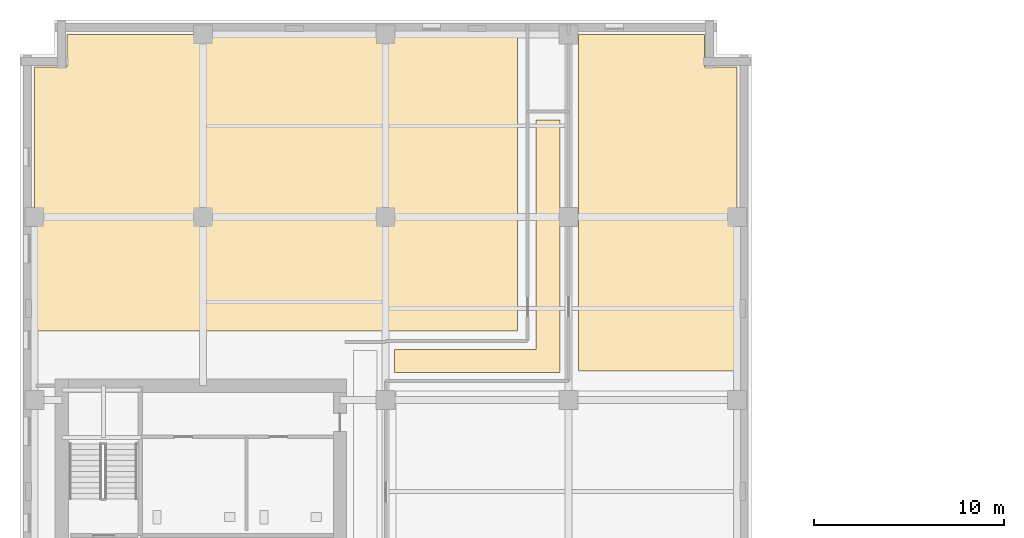
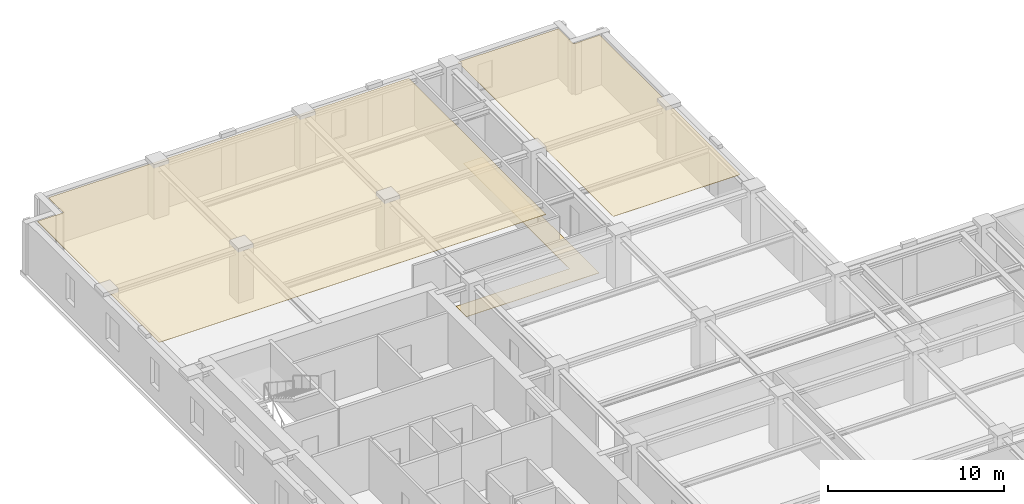
# One storey, part 11 of 12: 3 coverings.
"""IFC4 building model written with IfcOpenShell, lengths in metres."""

from ifc_helpers import new_model, si_unit, direction, frame, origin, place, context, subcontext, project, spatial, polyline, outline, extrude, material, layer, layer_set, type_object, element, save


model = new_model("IFC4")

# Units and contexts
model_context = context("Model", 3, precision=1e-05, world=origin(), true_north=direction((0.0, 1.0)))
body_context = subcontext(model_context, "Body", "Model", "MODEL_VIEW")
ifc_project = project(units=[si_unit("LENGTHUNIT", "METRE"), si_unit("AREAUNIT", "SQUARE_METRE"), si_unit("VOLUMEUNIT", "CUBIC_METRE"), si_unit("PLANEANGLEUNIT", "RADIAN"), si_unit("MASSUNIT", "GRAM", prefix="KILO")], contexts=[model_context])

# Site, building, storey
site_placement = place(None, origin())
site = spatial("IfcSite", under=ifc_project, at=site_placement, CompositionType="ELEMENT")
building_placement = place(site_placement, origin())
building = spatial("IfcBuilding", under=site, at=building_placement, Name="Norrvale University Quadrangle", CompositionType="ELEMENT")
storey_placement = place(building_placement, frame((0.0, 0.0, 109.0)))
storey = spatial("IfcBuildingStorey", under=building, at=storey_placement, Name="L27", CompositionType="ELEMENT", Elevation=109.0)

# Coverings
ifc_material_1 = material(Name="Perforated Acoustic Mineral Ceiling")
ifc_layer_1 = layer(ifc_material_1, 0.02490234375, Name="Perforated Acoustic Mineral Ceiling")
ifc_layer_set_1 = layer_set([ifc_layer_1], Name="Perforated Acoustic Mineral Ceiling")
covering_type_1 = type_object("IfcCoveringType", Name="Covering Acoustic Ceiling 25", PredefinedType="CEILING", material=ifc_layer_set_1)
covering_1_placement = place(storey_placement, frame((0.0, 0.0, 3.514892578125)))
element("IfcCovering", 1, at=covering_1_placement, inside=storey, type_object=covering_type_1, Name="Acoustic Ceiling RM-L27-NE01", PredefinedType="CEILING", context=body_context, shape_type="SweptSolid", body=[
    extrude(outline(polyline([(37.64990234375, 48.780029296875), (29.330078125, 48.780029296875), (29.330078125, 66.449951171875), (35.929931640625, 66.449951171875), (35.929931640625, 64.72998046875), (37.64990234375, 64.72998046875), (37.64990234375, 48.780029296875)])), origin(), (0.0, 0.0, 1.0), 0.025146484375),
])
covering_2_placement = place(storey_placement, frame((0.0, 0.0, 3.514892578125)))
element("IfcCovering", 2, at=covering_2_placement, inside=storey, type_object=covering_type_1, Name="Acoustic Ceiling RM-L27-NW01", PredefinedType="CEILING", context=body_context, shape_type="SweptSolid", body=[
    extrude(outline(polyline([(26.1201171875, 66.449951171875), (26.1201171875, 50.8798828125), (0.75, 50.8798828125), (0.75, 64.72998046875), (2.469970703125, 64.72998046875), (2.469970703125, 66.449951171875), (26.1201171875, 66.449951171875)])), origin(), (0.0, 0.0, 1.0), 0.025146484375),
])
ifc_material_2 = material(Name="Polished Terrazzo Flooring")
ifc_layer_2 = layer(ifc_material_2, 0.02490234375, Name="Polished Terrazzo Flooring")
ifc_layer_set_2 = layer_set([ifc_layer_2], Name="Polished Terrazzo Flooring")
covering_type_2 = type_object("IfcCoveringType", Name="Covering Terrazzo Floor 30", PredefinedType="FLOORING", material=ifc_layer_set_2)
covering_3_placement = place(storey_placement, origin())
element("IfcCovering", 3, at=covering_3_placement, inside=storey, type_object=covering_type_2, Name="Terrazzo Flooring RM-L27-NCJOG", PredefinedType="FLOORING", context=body_context, shape_type="SweptSolid", body=[
    extrude(outline(polyline([(19.64990234375, 48.699951171875), (19.64990234375, 49.89990234375), (27.10009765625, 49.89990234375), (27.10009765625, 61.949951171875), (28.35009765625, 61.949951171875), (28.35009765625, 48.699951171875), (19.64990234375, 48.699951171875)])), origin(), (0.0, 0.0, 1.0), 0.02490234375),
])

save(model, "model.ifc")
